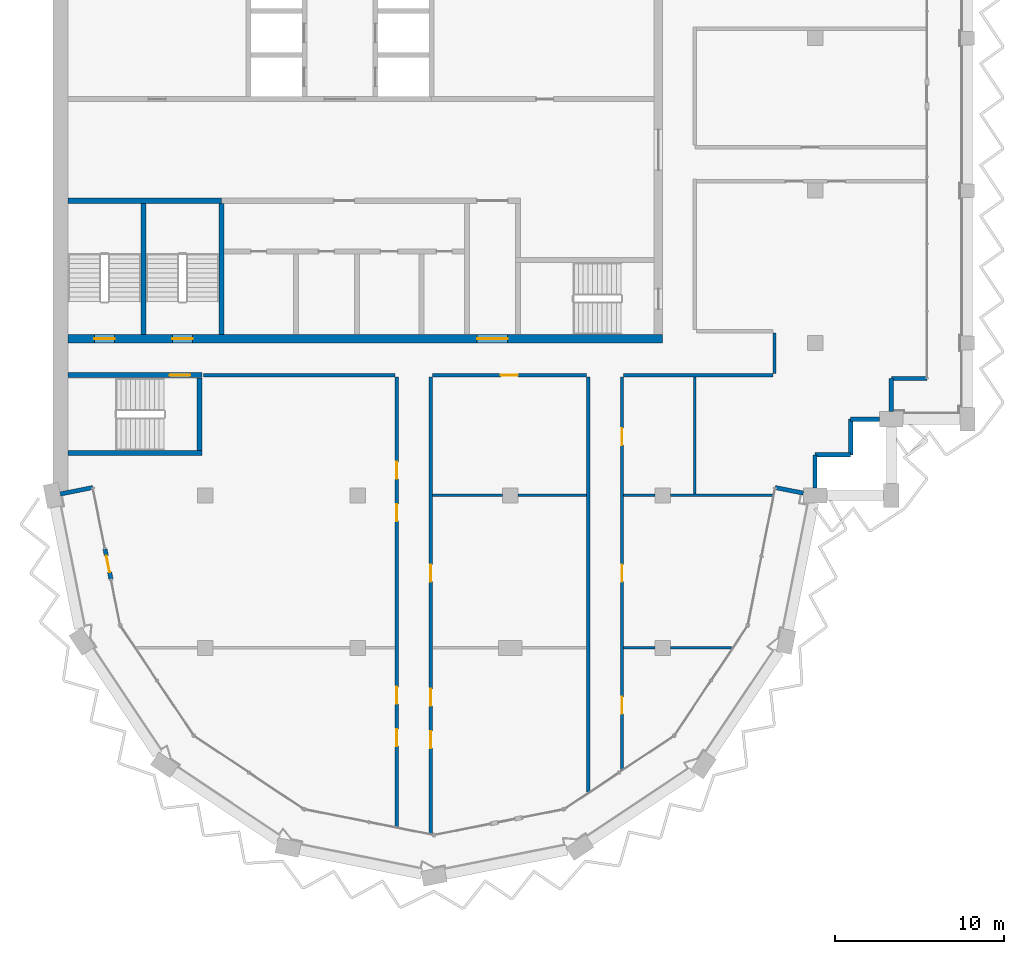
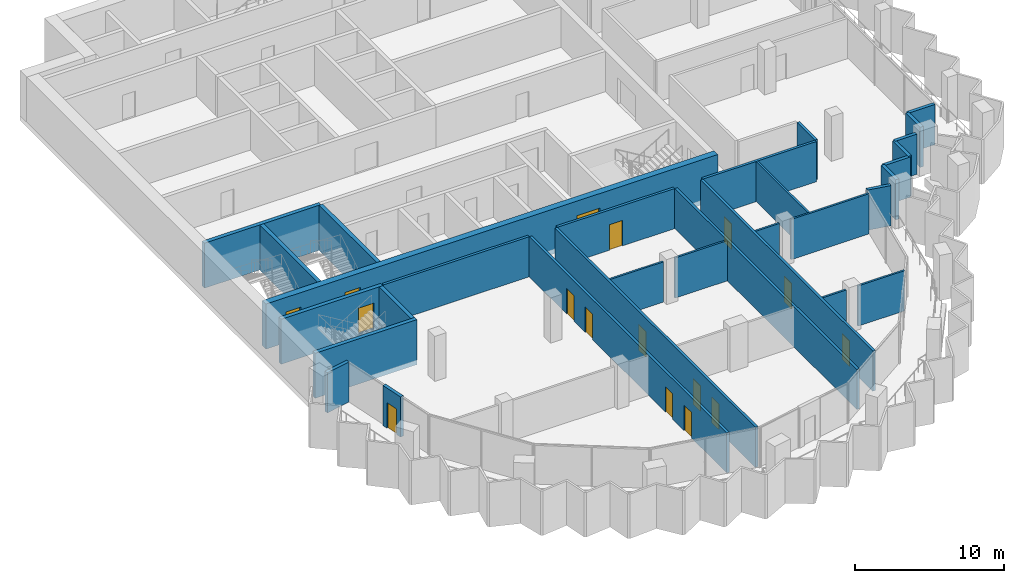
# One storey, part 7 of 14: 31 walls, 16 doors, 16 openings.
"""IFC4 building model written with IfcOpenShell, lengths in metres."""

from ifc_helpers import new_model, si_unit, direction, frame, frame_2d, origin, place, context, subcontext, project, spatial, rectangle, extrude, material, layer, layer_set, type_object, element, fill, save


model = new_model("IFC4")

# Units and contexts
model_context = context("Model", 3, precision=1e-05, world=origin(), true_north=direction((0.0, 1.0)))
body_context = subcontext(model_context, "Body", "Model", "MODEL_VIEW")
ifc_project = project(units=[si_unit("LENGTHUNIT", "METRE"), si_unit("AREAUNIT", "SQUARE_METRE"), si_unit("VOLUMEUNIT", "CUBIC_METRE"), si_unit("PLANEANGLEUNIT", "RADIAN"), si_unit("MASSUNIT", "GRAM", prefix="KILO")], contexts=[model_context])

# Site, building, storey
site_placement = place(None, origin())
site = spatial("IfcSite", under=ifc_project, at=site_placement, CompositionType="ELEMENT")
building_placement = place(site_placement, origin())
building = spatial("IfcBuilding", under=site, at=building_placement, Name="Hunhe Ridgeline Campus", CompositionType="ELEMENT")
storey_placement = place(building_placement, frame((0.0, 0.0, 284.5)))
storey = spatial("IfcBuildingStorey", under=building, at=storey_placement, Name="L73", CompositionType="ELEMENT", Elevation=284.5)

# Wall, openings, doors
ifc_material_1 = material(Name="Concrete C50", Category="concrete")
ifc_layer_1 = layer(ifc_material_1, 0.5)
ifc_layer_set_1 = layer_set([ifc_layer_1], Name="Core wall 500 reinforced concrete C50")
wall_type_1 = type_object("IfcWallType", Name="Core wall 500 reinforced concrete C50", PredefinedType="SOLIDWALL", material=ifc_layer_set_1)
wall_1_placement = place(storey_placement, frame((0.89990234375, 63.25, -0.39990234375), z_axis=(0.0, 0.0, 1.0), x_axis=(1.0, 0.0, 0.0)))
wall_1 = element("IfcWall", 1, at=wall_1_placement, inside=storey, type_object=wall_type_1, Name="L73 core wall 3", PredefinedType="SOLIDWALL", context=body_context, shape_type="SweptSolid", body=[
    extrude(rectangle(XDim=35.10009765625, YDim=0.5, at=frame_2d((17.550048828125, 0.0))), origin(), (0.0, 0.0, 1.0), 3.699951171875),
])
opening_1_placement = place(wall_1_placement, frame((24.14990234375, 0.0, 0.39990234375)))
opening_1 = element("IfcOpeningElement", 2, at=opening_1_placement, cuts=wall_1, Name="Opening CD6", PredefinedType="OPENING", context=body_context, shape_type="SweptSolid", body=[
    extrude(rectangle(XDim=1.800048828125, YDim=2.10009765625, at=frame_2d((0.89990234375, 1.050048828125))), frame((0.0, 0.25, 0.0), z_axis=(0.0, -1.0, 0.0), x_axis=(1.0, 0.0, 0.0)), (0.0, 0.0, 1.0), 0.5),
])
opening_2_placement = place(wall_1_placement, frame((1.550048828125, 0.0, 0.39990234375)))
opening_2 = element("IfcOpeningElement", 3, at=opening_2_placement, cuts=wall_1, Name="Opening CD13", PredefinedType="OPENING", context=body_context, shape_type="SweptSolid", body=[
    extrude(rectangle(XDim=1.199951171875, YDim=2.10009765625, at=frame_2d((0.60009765625, 1.050048828125))), frame((0.0, 0.25, 0.0), z_axis=(0.0, -1.0, 0.0), x_axis=(1.0, 0.0, 0.0)), (0.0, 0.0, 1.0), 0.5),
])
opening_3_placement = place(wall_1_placement, frame((6.14990234375, 0.0, 0.39990234375)))
opening_3 = element("IfcOpeningElement", 4, at=opening_3_placement, cuts=wall_1, Name="Opening CD14", PredefinedType="OPENING", context=body_context, shape_type="SweptSolid", body=[
    extrude(rectangle(XDim=1.199951171875, YDim=2.10009765625, at=frame_2d((0.60009765625, 1.050048828125))), frame((0.0, 0.25, 0.0), z_axis=(0.0, -1.0, 0.0), x_axis=(1.0, 0.0, 0.0)), (0.0, 0.0, 1.0), 0.5),
])
ifc_material_2 = material(Name="Anodised aluminium and glass", Category="aluminium")
door_type_1 = type_object("IfcDoorType", Name="Glazed double door 1800x2100", OperationType="DOUBLE_DOOR_SINGLE_SWING", PredefinedType="DOOR", material=ifc_material_2)
door_1_placement = place(opening_1_placement, frame((1.800048828125, 0.0, 0.0), z_axis=(0.0, 0.0, 1.0), x_axis=(-1.0, 0.0, 0.0)))
door_1 = element("IfcDoor", 5, at=door_1_placement, inside=storey, type_object=door_type_1, Name="L73 door VEST-FLOOR", OperationType="DOUBLE_DOOR_SINGLE_SWING", OverallHeight=2.10009765625, OverallWidth=1.800048828125, PredefinedType="DOOR", context=body_context, shape_type="SweptSolid", body=[
    extrude(rectangle(XDim=1.800048828125, YDim=2.10009765625, at=frame_2d((0.89990234375, 1.050048828125))), frame((0.0, 0.02490234375, 0.0), z_axis=(0.0, -1.0, 0.0), x_axis=(1.0, 0.0, 0.0)), (0.0, 0.0, 1.0), 0.050048828125),
])
fill(opening_1, door_1)
ifc_material_3 = material(Name="Hollow metal fire door leaf")
door_type_2 = type_object("IfcDoorType", Name="Stair door 1200x2100 FD60", OperationType="SINGLE_SWING_LEFT", PredefinedType="DOOR", material=ifc_material_3)
door_2_placement = place(opening_2_placement, frame((1.199951171875, 0.0, 0.0), z_axis=(0.0, 0.0, 1.0), x_axis=(-1.0, 0.0, 0.0)))
door_2 = element("IfcDoor", 6, at=door_2_placement, inside=storey, type_object=door_type_2, Name="L73 door S3", OperationType="SINGLE_SWING_LEFT", OverallHeight=2.10009765625, OverallWidth=1.199951171875, PredefinedType="DOOR", context=body_context, shape_type="SweptSolid", body=[
    extrude(rectangle(XDim=1.199951171875, YDim=2.10009765625, at=frame_2d((0.60009765625, 1.050048828125))), frame((0.0, 0.02490234375, 0.0), z_axis=(0.0, -1.0, 0.0), x_axis=(1.0, 0.0, 0.0)), (0.0, 0.0, 1.0), 0.050048828125),
])
fill(opening_2, door_2)
door_3_placement = place(opening_3_placement, frame((1.199951171875, 0.0, 0.0), z_axis=(0.0, 0.0, 1.0), x_axis=(-1.0, 0.0, 0.0)))
door_3 = element("IfcDoor", 7, at=door_3_placement, inside=storey, type_object=door_type_2, Name="L73 door S4", OperationType="SINGLE_SWING_RIGHT", OverallHeight=2.10009765625, OverallWidth=1.199951171875, PredefinedType="DOOR", context=body_context, shape_type="SweptSolid", body=[
    extrude(rectangle(XDim=1.199951171875, YDim=2.10009765625, at=frame_2d((0.60009765625, 1.050048828125))), frame((0.0, 0.02490234375, 0.0), z_axis=(0.0, -1.0, 0.0), x_axis=(1.0, 0.0, 0.0)), (0.0, 0.0, 1.0), 0.050048828125),
])
fill(opening_3, door_3)

# Walls
ifc_material_4 = material(Name="Concrete C30", Category="concrete")
ifc_layer_2 = layer(ifc_material_4, 0.25)
ifc_layer_set_2 = layer_set([ifc_layer_2], Name="Corner return wall 250 Concrete C30")
wall_type_2 = type_object("IfcWallType", Name="Corner return wall 250 Concrete C30", PredefinedType="SOLIDWALL", material=ifc_layer_set_2)
wall_2_placement = place(storey_placement, frame((0.441162109375, 54.088623046875, 0.0), z_axis=(0.0, 0.0, 1.0), x_axis=(0.980834936053, 0.194840519958, 0.0)))
element("IfcWall", 8, at=wall_2_placement, inside=storey, type_object=wall_type_2, Name="Corner return wall 1", PredefinedType="SOLIDWALL", context=body_context, shape_type="SweptSolid", body=[
    extrude(rectangle(XDim=1.950927734375, YDim=0.25, at=frame_2d((0.9755859375, 0.0))), origin(), (0.0, 0.0, 1.0), 3.300048828125),
])
wall_3_placement = place(storey_placement, frame((42.645263671875, 54.46875, 0.0), z_axis=(0.0, 0.0, 1.0), x_axis=(0.980846923473, -0.194780165092, 0.0)))
element("IfcWall", 9, at=wall_3_placement, inside=storey, type_object=wall_type_2, Name="Corner return wall 2", PredefinedType="SOLIDWALL", context=body_context, shape_type="SweptSolid", body=[
    extrude(rectangle(XDim=1.68701171875, YDim=0.25, at=frame_2d((0.843505859375, 0.0))), origin(), (0.0, 0.0, 1.0), 3.300048828125),
])
wall_4_placement = place(storey_placement, frame((44.9990234375, 54.449951171875, 0.0), z_axis=(0.0, 0.0, 1.0), x_axis=(0.000125156445, 0.999999992168, 0.0)))
element("IfcWall", 10, at=wall_4_placement, inside=storey, type_object=wall_type_2, Name="Corner return wall 3", PredefinedType="SOLIDWALL", context=body_context, shape_type="SweptSolid", body=[
    extrude(rectangle(XDim=1.95068359375, YDim=0.25, at=frame_2d((0.975341796875, 0.0))), origin(), (0.0, 0.0, 1.0), 3.300048828125),
])
wall_5_placement = place(storey_placement, frame((44.999267578125, 56.400634765625, 0.0), z_axis=(0.0, 0.0, 1.0), x_axis=(0.999999993241, 0.00011626555, 0.0)))
element("IfcWall", 11, at=wall_5_placement, inside=storey, type_object=wall_type_2, Name="Corner return wall 4", PredefinedType="SOLIDWALL", context=body_context, shape_type="SweptSolid", body=[
    extrude(rectangle(XDim=2.099853515625, YDim=0.25, at=frame_2d((1.0498046875, 0.0))), origin(), (0.0, 0.0, 1.0), 3.300048828125),
])
wall_6_placement = place(storey_placement, frame((47.09912109375, 56.40087890625, 0.0), z_axis=(0.0, 0.0, 1.0), x_axis=(0.000232504063, 0.999999972971, 0.0)))
element("IfcWall", 12, at=wall_6_placement, inside=storey, type_object=wall_type_2, Name="Corner return wall 5", PredefinedType="SOLIDWALL", context=body_context, shape_type="SweptSolid", body=[
    extrude(rectangle(XDim=2.10009765625, YDim=0.25, at=frame_2d((1.050048828125, 0.0))), origin(), (0.0, 0.0, 1.0), 3.300048828125),
])
wall_7_placement = place(storey_placement, frame((47.099609375, 58.5009765625, 0.0), z_axis=(0.0, 0.0, 1.0), x_axis=(1.0, 0.0, 0.0)))
element("IfcWall", 13, at=wall_7_placement, inside=storey, type_object=wall_type_2, Name="Corner return wall 6", PredefinedType="SOLIDWALL", context=body_context, shape_type="SweptSolid", body=[
    extrude(rectangle(XDim=1.700439453125, YDim=0.25, at=frame_2d((0.85009765625, 0.0))), origin(), (0.0, 0.0, 1.0), 3.300048828125),
])
wall_8_placement = place(storey_placement, frame((49.4990234375, 58.949951171875, 0.0), z_axis=(0.0, 0.0, 1.0), x_axis=(0.000250281559, 0.99999996868, 0.0)))
element("IfcWall", 14, at=wall_8_placement, inside=storey, type_object=wall_type_2, Name="Corner return wall 7", PredefinedType="SOLIDWALL", context=body_context, shape_type="SweptSolid", body=[
    extrude(rectangle(XDim=1.950927734375, YDim=0.25, at=frame_2d((0.9755859375, 0.0))), origin(), (0.0, 0.0, 1.0), 3.300048828125),
])
wall_9_placement = place(storey_placement, frame((49.49951171875, 60.90087890625, 0.0), z_axis=(0.0, 0.0, 1.0), x_axis=(1.0, 0.0, 0.0)))
element("IfcWall", 15, at=wall_9_placement, inside=storey, type_object=wall_type_2, Name="Corner return wall 8", PredefinedType="SOLIDWALL", context=body_context, shape_type="SweptSolid", body=[
    extrude(rectangle(XDim=2.099609375, YDim=0.25, at=frame_2d((1.0498046875, 0.0))), origin(), (0.0, 0.0, 1.0), 3.300048828125),
])
ifc_material_5 = material(Name="Gypsum board partition")
ifc_layer_3 = layer(ifc_material_5, 0.199951171875)
ifc_layer_set_3 = layer_set([ifc_layer_3], Name="Corridor partition 200 gypsum board on steel studs")
wall_type_3 = type_object("IfcWallType", Name="Corridor partition 200 gypsum board on steel studs", PredefinedType="PARTITIONING", material=ifc_layer_set_3)
wall_10_placement = place(storey_placement, frame((20.199951171875, 61.10009765625, 0.0), z_axis=(0.0, 0.0, 1.0), x_axis=(-1.0, 0.0, 0.0)))
element("IfcWall", 16, at=wall_10_placement, inside=storey, type_object=wall_type_3, Name="F-L73-wall-012", PredefinedType="PARTITIONING", context=body_context, shape_type="SweptSolid", body=[
    extrude(rectangle(XDim=11.2958984375, YDim=0.199951171875, at=frame_2d((5.64794921875, 0.0))), origin(), (0.0, 0.0, 1.0), 3.300048828125),
])

# Wall, opening, door
wall_11_placement = place(storey_placement, frame((31.5, 61.10009765625, 0.0), z_axis=(0.0, 0.0, 1.0), x_axis=(-1.0, 0.0, 0.0)))
wall_11 = element("IfcWall", 17, at=wall_11_placement, inside=storey, type_object=wall_type_3, Name="F-L73-wall-013", PredefinedType="PARTITIONING", context=body_context, shape_type="SweptSolid", body=[
    extrude(rectangle(XDim=9.10009765625, YDim=0.199951171875, at=frame_2d((4.550048828125, 0.0))), origin(), (0.0, 0.0, 1.0), 3.300048828125),
])
opening_4_placement = place(wall_11_placement, frame((4.050048828125, 0.0, 0.0)))
opening_4 = element("IfcOpeningElement", 18, at=opening_4_placement, cuts=wall_11, Name="Opening RD1-011", PredefinedType="OPENING", context=body_context, shape_type="SweptSolid", body=[
    extrude(rectangle(XDim=1.0, YDim=2.10009765625, at=frame_2d((0.5, 1.050048828125))), frame((0.0, 0.10009765625, 0.0), z_axis=(0.0, -1.0, 0.0), x_axis=(1.0, 0.0, 0.0)), (0.0, 0.0, 1.0), 0.199951171875),
])
ifc_material_6 = material(Name="Timber door leaf", Category="wood")
door_type_3 = type_object("IfcDoorType", Name="Single fire door 1000x2100 timber FD60", OperationType="NOTDEFINED", PredefinedType="DOOR", material=ifc_material_6)
door_4_placement = place(opening_4_placement, origin())
door_4 = element("IfcDoor", 19, at=door_4_placement, inside=storey, type_object=door_type_3, Name="F-L73-door-011", OperationType="SINGLE_SWING_LEFT", OverallHeight=2.10009765625, OverallWidth=1.0, PredefinedType="DOOR", context=body_context, shape_type="SweptSolid", body=[
    extrude(rectangle(XDim=1.0, YDim=2.10009765625, at=frame_2d((0.5, 1.050048828125))), frame((0.0, 0.02490234375, 0.0), z_axis=(0.0, -1.0, 0.0), x_axis=(1.0, 0.0, 0.0)), (0.0, 0.0, 1.0), 0.050048828125),
])
fill(opening_4, door_4)

# Wall
wall_12_placement = place(storey_placement, frame((42.5, 61.10009765625, 0.0), z_axis=(0.0, 0.0, 1.0), x_axis=(-1.0, 0.0, 0.0)))
element("IfcWall", 20, at=wall_12_placement, inside=storey, type_object=wall_type_3, Name="F-L73-wall-014", PredefinedType="PARTITIONING", context=body_context, shape_type="SweptSolid", body=[
    extrude(rectangle(XDim=8.800048828125, YDim=0.199951171875, at=frame_2d((4.39990234375, 0.0))), origin(), (0.0, 0.0, 1.0), 3.300048828125),
])

# Wall, openings, doors
wall_13_placement = place(storey_placement, frame((20.300048828125, 34.440673828125, 0.0), z_axis=(0.0, 0.0, 1.0), x_axis=(0.0, 1.0, 0.0)))
wall_13 = element("IfcWall", 21, at=wall_13_placement, inside=storey, type_object=wall_type_3, Name="F-L73-wall-021", PredefinedType="PARTITIONING", context=body_context, shape_type="SweptSolid", body=[
    extrude(rectangle(XDim=26.559326171875, YDim=0.199951171875, at=frame_2d((13.27978515625, 0.0))), origin(), (0.0, 0.0, 1.0), 3.300048828125),
])
opening_5_placement = place(wall_13_placement, frame((4.76171875, 0.0, 0.0)))
opening_5 = element("IfcOpeningElement", 22, at=opening_5_placement, cuts=wall_13, Name="Opening RD1-002", PredefinedType="OPENING", context=body_context, shape_type="SweptSolid", body=[
    extrude(rectangle(XDim=1.0, YDim=2.10009765625, at=frame_2d((0.5, 1.050048828125))), frame((0.0, 0.10009765625, 0.0), z_axis=(0.0, -1.0, 0.0), x_axis=(1.0, 0.0, 0.0)), (0.0, 0.0, 1.0), 0.199951171875),
])
opening_6_placement = place(wall_13_placement, frame((7.26171875, 0.0, 0.0)))
opening_6 = element("IfcOpeningElement", 23, at=opening_6_placement, cuts=wall_13, Name="Opening RD1-005", PredefinedType="OPENING", context=body_context, shape_type="SweptSolid", body=[
    extrude(rectangle(XDim=1.0, YDim=2.10009765625, at=frame_2d((0.5, 1.050048828125))), frame((0.0, 0.10009765625, 0.0), z_axis=(0.0, -1.0, 0.0), x_axis=(1.0, 0.0, 0.0)), (0.0, 0.0, 1.0), 0.199951171875),
])
opening_7_placement = place(wall_13_placement, frame((18.04150390625, 0.0, 0.0)))
opening_7 = element("IfcOpeningElement", 24, at=opening_7_placement, cuts=wall_13, Name="Opening RD1-008", PredefinedType="OPENING", context=body_context, shape_type="SweptSolid", body=[
    extrude(rectangle(XDim=1.0, YDim=2.10009765625, at=frame_2d((0.5, 1.050048828125))), frame((0.0, 0.10009765625, 0.0), z_axis=(0.0, -1.0, 0.0), x_axis=(1.0, 0.0, 0.0)), (0.0, 0.0, 1.0), 0.199951171875),
])
opening_8_placement = place(wall_13_placement, frame((20.54150390625, 0.0, 0.0)))
opening_8 = element("IfcOpeningElement", 25, at=opening_8_placement, cuts=wall_13, Name="Opening RD1-009", PredefinedType="OPENING", context=body_context, shape_type="SweptSolid", body=[
    extrude(rectangle(XDim=1.0, YDim=2.10009765625, at=frame_2d((0.5, 1.050048828125))), frame((0.0, 0.10009765625, 0.0), z_axis=(0.0, -1.0, 0.0), x_axis=(1.0, 0.0, 0.0)), (0.0, 0.0, 1.0), 0.199951171875),
])
door_5_placement = place(opening_5_placement, frame((1.0, 0.0, 0.0), z_axis=(0.0, 0.0, 1.0), x_axis=(-1.0, 0.0, 0.0)))
door_5 = element("IfcDoor", 26, at=door_5_placement, inside=storey, type_object=door_type_3, Name="F-L73-door-002", OperationType="SINGLE_SWING_RIGHT", OverallHeight=2.10009765625, OverallWidth=1.0, PredefinedType="DOOR", context=body_context, shape_type="SweptSolid", body=[
    extrude(rectangle(XDim=1.0, YDim=2.10009765625, at=frame_2d((0.5, 1.050048828125))), frame((0.0, 0.02490234375, 0.0), z_axis=(0.0, -1.0, 0.0), x_axis=(1.0, 0.0, 0.0)), (0.0, 0.0, 1.0), 0.050048828125),
])
fill(opening_5, door_5)
door_6_placement = place(opening_6_placement, frame((1.0, 0.0, 0.0), z_axis=(0.0, 0.0, 1.0), x_axis=(-1.0, 0.0, 0.0)))
door_6 = element("IfcDoor", 27, at=door_6_placement, inside=storey, type_object=door_type_3, Name="F-L73-door-005", OperationType="SINGLE_SWING_LEFT", OverallHeight=2.10009765625, OverallWidth=1.0, PredefinedType="DOOR", context=body_context, shape_type="SweptSolid", body=[
    extrude(rectangle(XDim=1.0, YDim=2.10009765625, at=frame_2d((0.5, 1.050048828125))), frame((0.0, 0.02490234375, 0.0), z_axis=(0.0, -1.0, 0.0), x_axis=(1.0, 0.0, 0.0)), (0.0, 0.0, 1.0), 0.050048828125),
])
fill(opening_6, door_6)
door_7_placement = place(opening_7_placement, frame((1.0, 0.0, 0.0), z_axis=(0.0, 0.0, 1.0), x_axis=(-1.0, 0.0, 0.0)))
door_7 = element("IfcDoor", 28, at=door_7_placement, inside=storey, type_object=door_type_3, Name="F-L73-door-008", OperationType="SINGLE_SWING_LEFT", OverallHeight=2.10009765625, OverallWidth=1.0, PredefinedType="DOOR", context=body_context, shape_type="SweptSolid", body=[
    extrude(rectangle(XDim=1.0, YDim=2.10009765625, at=frame_2d((0.5, 1.050048828125))), frame((0.0, 0.02490234375, 0.0), z_axis=(0.0, -1.0, 0.0), x_axis=(1.0, 0.0, 0.0)), (0.0, 0.0, 1.0), 0.050048828125),
])
fill(opening_7, door_7)
door_8_placement = place(opening_8_placement, frame((1.0, 0.0, 0.0), z_axis=(0.0, 0.0, 1.0), x_axis=(-1.0, 0.0, 0.0)))
door_8 = element("IfcDoor", 29, at=door_8_placement, inside=storey, type_object=door_type_3, Name="F-L73-door-009", OperationType="SINGLE_SWING_LEFT", OverallHeight=2.10009765625, OverallWidth=1.0, PredefinedType="DOOR", context=body_context, shape_type="SweptSolid", body=[
    extrude(rectangle(XDim=1.0, YDim=2.10009765625, at=frame_2d((0.5, 1.050048828125))), frame((0.0, 0.02490234375, 0.0), z_axis=(0.0, -1.0, 0.0), x_axis=(1.0, 0.0, 0.0)), (0.0, 0.0, 1.0), 0.050048828125),
])
fill(opening_8, door_8)

wall_14_placement = place(storey_placement, frame((22.300048828125, 61.0, 0.0), z_axis=(0.0, 0.0, 1.0), x_axis=(0.0, -1.0, 0.0)))
wall_14 = element("IfcWall", 30, at=wall_14_placement, inside=storey, type_object=wall_type_3, Name="F-L73-wall-022", PredefinedType="PARTITIONING", context=body_context, shape_type="SweptSolid", body=[
    extrude(rectangle(XDim=26.95703125, YDim=0.199951171875, at=frame_2d((13.478515625, 0.0))), origin(), (0.0, 0.0, 1.0), 3.300048828125),
])
opening_9_placement = place(wall_14_placement, frame((20.91455078125, 0.0, 0.0)))
opening_9 = element("IfcOpeningElement", 31, at=opening_9_placement, cuts=wall_14, Name="Opening RD1-001", PredefinedType="OPENING", context=body_context, shape_type="SweptSolid", body=[
    extrude(rectangle(XDim=1.0, YDim=2.10009765625, at=frame_2d((0.5, 1.050048828125))), frame((0.0, 0.10009765625, 0.0), z_axis=(0.0, -1.0, 0.0), x_axis=(1.0, 0.0, 0.0)), (0.0, 0.0, 1.0), 0.199951171875),
])
opening_10_placement = place(wall_14_placement, frame((18.41455078125, 0.0, 0.0)))
opening_10 = element("IfcOpeningElement", 32, at=opening_10_placement, cuts=wall_14, Name="Opening RD1-004", PredefinedType="OPENING", context=body_context, shape_type="SweptSolid", body=[
    extrude(rectangle(XDim=1.0, YDim=2.10009765625, at=frame_2d((0.5, 1.050048828125))), frame((0.0, 0.10009765625, 0.0), z_axis=(0.0, -1.0, 0.0), x_axis=(1.0, 0.0, 0.0)), (0.0, 0.0, 1.0), 0.199951171875),
])
opening_11_placement = place(wall_14_placement, frame((11.089111328125, 0.0, 0.0)))
opening_11 = element("IfcOpeningElement", 33, at=opening_11_placement, cuts=wall_14, Name="Opening RD1-006", PredefinedType="OPENING", context=body_context, shape_type="SweptSolid", body=[
    extrude(rectangle(XDim=1.0, YDim=2.10009765625, at=frame_2d((0.5, 1.050048828125))), frame((0.0, 0.10009765625, 0.0), z_axis=(0.0, -1.0, 0.0), x_axis=(1.0, 0.0, 0.0)), (0.0, 0.0, 1.0), 0.199951171875),
])
door_9_placement = place(opening_9_placement, frame((1.0, 0.0, 0.0), z_axis=(0.0, 0.0, 1.0), x_axis=(-1.0, 0.0, 0.0)))
door_9 = element("IfcDoor", 34, at=door_9_placement, inside=storey, type_object=door_type_3, Name="F-L73-door-001", OperationType="SINGLE_SWING_RIGHT", OverallHeight=2.10009765625, OverallWidth=1.0, PredefinedType="DOOR", context=body_context, shape_type="SweptSolid", body=[
    extrude(rectangle(XDim=1.0, YDim=2.10009765625, at=frame_2d((0.5, 1.050048828125))), frame((0.0, 0.02490234375, 0.0), z_axis=(0.0, -1.0, 0.0), x_axis=(1.0, 0.0, 0.0)), (0.0, 0.0, 1.0), 0.050048828125),
])
fill(opening_9, door_9)
door_10_placement = place(opening_10_placement, frame((1.0, 0.0, 0.0), z_axis=(0.0, 0.0, 1.0), x_axis=(-1.0, 0.0, 0.0)))
door_10 = element("IfcDoor", 35, at=door_10_placement, inside=storey, type_object=door_type_3, Name="F-L73-door-004", OperationType="SINGLE_SWING_RIGHT", OverallHeight=2.10009765625, OverallWidth=1.0, PredefinedType="DOOR", context=body_context, shape_type="SweptSolid", body=[
    extrude(rectangle(XDim=1.0, YDim=2.10009765625, at=frame_2d((0.5, 1.050048828125))), frame((0.0, 0.02490234375, 0.0), z_axis=(0.0, -1.0, 0.0), x_axis=(1.0, 0.0, 0.0)), (0.0, 0.0, 1.0), 0.050048828125),
])
fill(opening_10, door_10)
door_11_placement = place(opening_11_placement, origin())
door_11 = element("IfcDoor", 36, at=door_11_placement, inside=storey, type_object=door_type_3, Name="F-L73-door-006", OperationType="SINGLE_SWING_RIGHT", OverallHeight=2.10009765625, OverallWidth=1.0, PredefinedType="DOOR", context=body_context, shape_type="SweptSolid", body=[
    extrude(rectangle(XDim=1.0, YDim=2.10009765625, at=frame_2d((0.5, 1.050048828125))), frame((0.0, 0.02490234375, 0.0), z_axis=(0.0, -1.0, 0.0), x_axis=(1.0, 0.0, 0.0)), (0.0, 0.0, 1.0), 0.050048828125),
])
fill(opening_11, door_11)

# Wall
wall_15_placement = place(storey_placement, frame((31.60009765625, 36.492431640625, 0.0), z_axis=(0.0, 0.0, 1.0), x_axis=(0.0, 1.0, 0.0)))
element("IfcWall", 37, at=wall_15_placement, inside=storey, type_object=wall_type_3, Name="F-L73-wall-023", PredefinedType="PARTITIONING", context=body_context, shape_type="SweptSolid", body=[
    extrude(rectangle(XDim=24.507568359375, YDim=0.199951171875, at=frame_2d((12.25390625, 0.0))), origin(), (0.0, 0.0, 1.0), 3.300048828125),
])

# Wall, openings, doors
wall_16_placement = place(storey_placement, frame((33.60009765625, 61.0, 0.0), z_axis=(0.0, 0.0, 1.0), x_axis=(0.0, -1.0, 0.0)))
wall_16 = element("IfcWall", 38, at=wall_16_placement, inside=storey, type_object=wall_type_3, Name="F-L73-wall-024", PredefinedType="PARTITIONING", context=body_context, shape_type="SweptSolid", body=[
    extrude(rectangle(XDim=23.171142578125, YDim=0.199951171875, at=frame_2d((11.58544921875, 0.0))), origin(), (0.0, 0.0, 1.0), 3.300048828125),
])
opening_12_placement = place(wall_16_placement, frame((18.893310546875, 0.0, 0.0)))
opening_12 = element("IfcOpeningElement", 39, at=opening_12_placement, cuts=wall_16, Name="Opening RD1-003", PredefinedType="OPENING", context=body_context, shape_type="SweptSolid", body=[
    extrude(rectangle(XDim=1.0, YDim=2.10009765625, at=frame_2d((0.5, 1.050048828125))), frame((0.0, 0.10009765625, 0.0), z_axis=(0.0, -1.0, 0.0), x_axis=(1.0, 0.0, 0.0)), (0.0, 0.0, 1.0), 0.199951171875),
])
opening_13_placement = place(wall_16_placement, frame((11.085693359375, 0.0, 0.0)))
opening_13 = element("IfcOpeningElement", 40, at=opening_13_placement, cuts=wall_16, Name="Opening RD1-007", PredefinedType="OPENING", context=body_context, shape_type="SweptSolid", body=[
    extrude(rectangle(XDim=1.0, YDim=2.10009765625, at=frame_2d((0.5, 1.050048828125))), frame((0.0, 0.10009765625, 0.0), z_axis=(0.0, -1.0, 0.0), x_axis=(1.0, 0.0, 0.0)), (0.0, 0.0, 1.0), 0.199951171875),
])
opening_14_placement = place(wall_16_placement, frame((3.02587890625, 0.0, 0.0)))
opening_14 = element("IfcOpeningElement", 41, at=opening_14_placement, cuts=wall_16, Name="Opening RD1-010", PredefinedType="OPENING", context=body_context, shape_type="SweptSolid", body=[
    extrude(rectangle(XDim=1.0, YDim=2.10009765625, at=frame_2d((0.5, 1.050048828125))), frame((0.0, 0.10009765625, 0.0), z_axis=(0.0, -1.0, 0.0), x_axis=(1.0, 0.0, 0.0)), (0.0, 0.0, 1.0), 0.199951171875),
])
door_12_placement = place(opening_12_placement, origin())
door_12 = element("IfcDoor", 42, at=door_12_placement, inside=storey, type_object=door_type_3, Name="F-L73-door-003", OperationType="SINGLE_SWING_LEFT", OverallHeight=2.10009765625, OverallWidth=1.0, PredefinedType="DOOR", context=body_context, shape_type="SweptSolid", body=[
    extrude(rectangle(XDim=1.0, YDim=2.10009765625, at=frame_2d((0.5, 1.050048828125))), frame((0.0, 0.02490234375, 0.0), z_axis=(0.0, -1.0, 0.0), x_axis=(1.0, 0.0, 0.0)), (0.0, 0.0, 1.0), 0.050048828125),
])
fill(opening_12, door_12)
door_13_placement = place(opening_13_placement, origin())
door_13 = element("IfcDoor", 43, at=door_13_placement, inside=storey, type_object=door_type_3, Name="F-L73-door-007", OperationType="SINGLE_SWING_LEFT", OverallHeight=2.10009765625, OverallWidth=1.0, PredefinedType="DOOR", context=body_context, shape_type="SweptSolid", body=[
    extrude(rectangle(XDim=1.0, YDim=2.10009765625, at=frame_2d((0.5, 1.050048828125))), frame((0.0, 0.02490234375, 0.0), z_axis=(0.0, -1.0, 0.0), x_axis=(1.0, 0.0, 0.0)), (0.0, 0.0, 1.0), 0.050048828125),
])
fill(opening_13, door_13)
door_14_placement = place(opening_14_placement, origin())
door_14 = element("IfcDoor", 44, at=door_14_placement, inside=storey, type_object=door_type_3, Name="F-L73-door-010", OperationType="SINGLE_SWING_LEFT", OverallHeight=2.10009765625, OverallWidth=1.0, PredefinedType="DOOR", context=body_context, shape_type="SweptSolid", body=[
    extrude(rectangle(XDim=1.0, YDim=2.10009765625, at=frame_2d((0.5, 1.050048828125))), frame((0.0, 0.02490234375, 0.0), z_axis=(0.0, -1.0, 0.0), x_axis=(1.0, 0.0, 0.0)), (0.0, 0.0, 1.0), 0.050048828125),
])
fill(opening_14, door_14)

# Wall
wall_17_placement = place(storey_placement, frame((42.60009765625, 63.60009765625, 0.0), z_axis=(0.0, 0.0, 1.0), x_axis=(0.0, -1.0, 0.0)))
element("IfcWall", 45, at=wall_17_placement, inside=storey, type_object=wall_type_3, Name="F-L73-wall-030", PredefinedType="PARTITIONING", context=body_context, shape_type="SweptSolid", body=[
    extrude(rectangle(XDim=2.400146484375, YDim=0.199951171875, at=frame_2d((1.2001953125, 0.0))), origin(), (0.0, 0.0, 1.0), 3.300048828125),
])

# Wall, opening, door
ifc_layer_4 = layer(ifc_material_4, 0.25)
ifc_layer_set_4 = layer_set([ifc_layer_4], Name="Loggia door pier wall 250 Concrete C30")
wall_type_4 = type_object("IfcWallType", Name="Loggia door pier wall 250 Concrete C30", PredefinedType="SOLIDWALL", material=ifc_layer_set_4)
wall_18_placement = place(storey_placement, frame((3.076904296875, 50.8388671875, 0.0), z_axis=(0.0, 0.0, 1.0), x_axis=(0.195046569833, -0.980793982239, 0.0)))
wall_18 = element("IfcWall", 46, at=wall_18_placement, inside=storey, type_object=wall_type_4, Name="Loggia door pier 1", PredefinedType="SOLIDWALL", context=body_context, shape_type="SweptSolid", body=[
    extrude(rectangle(XDim=1.800048828125, YDim=0.25, at=frame_2d((0.89990234375, 0.0))), origin(), (0.0, 0.0, 1.0), 3.300048828125),
])
opening_15_placement = place(wall_18_placement, frame((0.39990234375, 0.0, 0.0)))
opening_15 = element("IfcOpeningElement", 47, at=opening_15_placement, cuts=wall_18, Name="Opening BD601", PredefinedType="OPENING", context=body_context, shape_type="SweptSolid", body=[
    extrude(rectangle(XDim=1.0, YDim=2.10009765625, at=frame_2d((0.5, 1.050048828125))), frame((0.0, 0.125, 0.0), z_axis=(0.0, -1.0, 0.0), x_axis=(1.0, 0.0, 0.0)), (0.0, 0.0, 1.0), 0.25),
])
ifc_material_7 = material(Name="Aluminium 6063", Category="aluminium")
door_type_4 = type_object("IfcDoorType", Name="Loggia glazed door 1000x2100", OperationType="NOTDEFINED", PredefinedType="DOOR", material=ifc_material_7)
door_15_placement = place(opening_15_placement, frame((1.0, 0.0, 0.0), z_axis=(0.0, 0.0, 1.0), x_axis=(-1.0, 0.0, 0.0)))
door_15 = element("IfcDoor", 48, at=door_15_placement, inside=storey, type_object=door_type_4, Name="Loggia door BD601", OperationType="SINGLE_SWING_RIGHT", OverallHeight=2.10009765625, OverallWidth=1.0, PredefinedType="DOOR", context=body_context, shape_type="SweptSolid", body=[
    extrude(rectangle(XDim=1.0, YDim=2.10009765625, at=frame_2d((0.5, 1.050048828125))), frame((0.0, 0.02490234375, 0.0), z_axis=(0.0, -1.0, 0.0), x_axis=(1.0, 0.0, 0.0)), (0.0, 0.0, 1.0), 0.050048828125),
])
fill(opening_15, door_15)

# Walls
ifc_layer_5 = layer(ifc_material_5, 0.14990234375)
ifc_layer_set_5 = layer_set([ifc_layer_5], Name="Room partition 150 gypsum board on steel studs")
wall_type_5 = type_object("IfcWallType", Name="Room partition 150 gypsum board on steel studs", PredefinedType="PARTITIONING", material=ifc_layer_set_5)
wall_19_placement = place(storey_placement, frame((33.699951171875, 45.0, 0.0), z_axis=(0.0, 0.0, 1.0), x_axis=(1.0, 0.0, 0.0)))
element("IfcWall", 49, at=wall_19_placement, inside=storey, type_object=wall_type_5, Name="F-L73-wall-006", PredefinedType="PARTITIONING", context=body_context, shape_type="SweptSolid", body=[
    extrude(rectangle(XDim=1.85009765625, YDim=0.14990234375, at=frame_2d((0.925048828125, 0.0))), origin(), (0.0, 0.0, 1.0), 3.300048828125),
])
wall_20_placement = place(storey_placement, frame((36.449951171875, 45.0, 0.0), z_axis=(0.0, 0.0, 1.0), x_axis=(1.0, 0.0, 0.0)))
element("IfcWall", 50, at=wall_20_placement, inside=storey, type_object=wall_type_5, Name="F-L73-wall-007", PredefinedType="PARTITIONING", context=body_context, shape_type="SweptSolid", body=[
    extrude(rectangle(XDim=3.62451171875, YDim=0.14990234375, at=frame_2d((1.812255859375, 0.0))), origin(), (0.0, 0.0, 1.0), 3.300048828125),
])
wall_21_placement = place(storey_placement, frame((22.39990234375, 54.0, 0.0), z_axis=(0.0, 0.0, 1.0), x_axis=(1.0, 0.0, 0.0)))
element("IfcWall", 51, at=wall_21_placement, inside=storey, type_object=wall_type_5, Name="F-L73-wall-008", PredefinedType="PARTITIONING", context=body_context, shape_type="SweptSolid", body=[
    extrude(rectangle(XDim=4.150146484375, YDim=0.14990234375, at=frame_2d((2.0751953125, 0.0))), origin(), (0.0, 0.0, 1.0), 3.300048828125),
])
wall_22_placement = place(storey_placement, frame((27.449951171875, 54.0, 0.0), z_axis=(0.0, 0.0, 1.0), x_axis=(1.0, 0.0, 0.0)))
element("IfcWall", 52, at=wall_22_placement, inside=storey, type_object=wall_type_5, Name="F-L73-wall-009", PredefinedType="PARTITIONING", context=body_context, shape_type="SweptSolid", body=[
    extrude(rectangle(XDim=4.050048828125, YDim=0.14990234375, at=frame_2d((2.02490234375, 0.0))), origin(), (0.0, 0.0, 1.0), 3.300048828125),
])
wall_23_placement = place(storey_placement, frame((33.699951171875, 54.0, 0.0), z_axis=(0.0, 0.0, 1.0), x_axis=(1.0, 0.0, 0.0)))
element("IfcWall", 53, at=wall_23_placement, inside=storey, type_object=wall_type_5, Name="F-L73-wall-010", PredefinedType="PARTITIONING", context=body_context, shape_type="SweptSolid", body=[
    extrude(rectangle(XDim=1.85009765625, YDim=0.14990234375, at=frame_2d((0.925048828125, 0.0))), origin(), (0.0, 0.0, 1.0), 3.300048828125),
])
wall_24_placement = place(storey_placement, frame((36.449951171875, 54.0, 0.0), z_axis=(0.0, 0.0, 1.0), x_axis=(1.0, 0.0, 0.0)))
element("IfcWall", 54, at=wall_24_placement, inside=storey, type_object=wall_type_5, Name="F-L73-wall-011", PredefinedType="PARTITIONING", context=body_context, shape_type="SweptSolid", body=[
    extrude(rectangle(XDim=6.047119140625, YDim=0.14990234375, at=frame_2d((3.0234375, 0.0))), origin(), (0.0, 0.0, 1.0), 3.300048828125),
])
wall_25_placement = place(storey_placement, frame((37.89990234375, 61.0, 0.0), z_axis=(0.0, 0.0, 1.0), x_axis=(0.0, -1.0, 0.0)))
element("IfcWall", 55, at=wall_25_placement, inside=storey, type_object=wall_type_5, Name="F-L73-wall-025", PredefinedType="PARTITIONING", context=body_context, shape_type="SweptSolid", body=[
    extrude(rectangle(XDim=6.925048828125, YDim=0.14990234375, at=frame_2d((3.46240234375, 0.0))), origin(), (0.0, 0.0, 1.0), 3.300048828125),
])
ifc_layer_6 = layer(ifc_material_1, 0.300048828125)
ifc_layer_set_6 = layer_set([ifc_layer_6], Name="Stair wall 300 reinforced concrete C50")
wall_type_6 = type_object("IfcWallType", Name="Stair wall 300 reinforced concrete C50", PredefinedType="SOLIDWALL", material=ifc_layer_set_6)
wall_26_placement = place(storey_placement, frame((0.89990234375, 56.5, -0.39990234375), z_axis=(0.0, 0.0, 1.0), x_axis=(1.0, 0.0, 0.0)))
element("IfcWall", 56, at=wall_26_placement, inside=storey, type_object=wall_type_6, Name="L73 core wall 1", PredefinedType="SOLIDWALL", context=body_context, shape_type="SweptSolid", body=[
    extrude(rectangle(XDim=7.900146484375, YDim=0.300048828125, at=frame_2d((3.9501953125, 0.0))), origin(), (0.0, 0.0, 1.0), 3.699951171875),
])

# Wall, opening, door
wall_27_placement = place(storey_placement, frame((0.89990234375, 61.10009765625, -0.39990234375), z_axis=(0.0, 0.0, 1.0), x_axis=(1.0, 0.0, 0.0)))
wall_27 = element("IfcWall", 57, at=wall_27_placement, inside=storey, type_object=wall_type_6, Name="L73 core wall 2", PredefinedType="SOLIDWALL", context=body_context, shape_type="SweptSolid", body=[
    extrude(rectangle(XDim=7.900146484375, YDim=0.300048828125, at=frame_2d((3.9501953125, 0.0))), origin(), (0.0, 0.0, 1.0), 3.699951171875),
])
opening_16_placement = place(wall_27_placement, frame((6.0, 0.0, 0.39990234375)))
opening_16 = element("IfcOpeningElement", 58, at=opening_16_placement, cuts=wall_27, Name="Opening CD22", PredefinedType="OPENING", context=body_context, shape_type="SweptSolid", body=[
    extrude(rectangle(XDim=1.199951171875, YDim=2.10009765625, at=frame_2d((0.60009765625, 1.050048828125))), frame((0.0, 0.14990234375, 0.0), z_axis=(0.0, -1.0, 0.0), x_axis=(1.0, 0.0, 0.0)), (0.0, 0.0, 1.0), 0.300048828125),
])
door_16_placement = place(opening_16_placement, origin())
door_16 = element("IfcDoor", 59, at=door_16_placement, inside=storey, type_object=door_type_2, Name="L73 door W2", OperationType="SINGLE_SWING_LEFT", OverallHeight=2.10009765625, OverallWidth=1.199951171875, PredefinedType="DOOR", context=body_context, shape_type="SweptSolid", body=[
    extrude(rectangle(XDim=1.199951171875, YDim=2.10009765625, at=frame_2d((0.60009765625, 1.050048828125))), frame((0.0, 0.02490234375, 0.0), z_axis=(0.0, -1.0, 0.0), x_axis=(1.0, 0.0, 0.0)), (0.0, 0.0, 1.0), 0.050048828125),
])
fill(opening_16, door_16)

# Walls
wall_28_placement = place(storey_placement, frame((0.89990234375, 71.39990234375, -0.39990234375), z_axis=(0.0, 0.0, 1.0), x_axis=(1.0, 0.0, 0.0)))
element("IfcWall", 60, at=wall_28_placement, inside=storey, type_object=wall_type_6, Name="L73 core wall 6", PredefinedType="SOLIDWALL", context=body_context, shape_type="SweptSolid", body=[
    extrude(rectangle(XDim=9.050048828125, YDim=0.300048828125, at=frame_2d((4.52490234375, 0.0))), origin(), (0.0, 0.0, 1.0), 3.699951171875),
])
wall_29_placement = place(storey_placement, frame((5.35009765625, 63.5, -0.39990234375), z_axis=(0.0, 0.0, 1.0), x_axis=(0.0, 1.0, 0.0)))
element("IfcWall", 61, at=wall_29_placement, inside=storey, type_object=wall_type_6, Name="L73 core wall 23", PredefinedType="SOLIDWALL", context=body_context, shape_type="SweptSolid", body=[
    extrude(rectangle(XDim=7.75, YDim=0.300048828125, at=frame_2d((3.875, 0.0))), origin(), (0.0, 0.0, 1.0), 3.699951171875),
])
wall_30_placement = place(storey_placement, frame((8.64990234375, 56.64990234375, -0.39990234375), z_axis=(0.0, 0.0, 1.0), x_axis=(0.0, 1.0, 0.0)))
element("IfcWall", 62, at=wall_30_placement, inside=storey, type_object=wall_type_6, Name="L73 core wall 25", PredefinedType="SOLIDWALL", context=body_context, shape_type="SweptSolid", body=[
    extrude(rectangle(XDim=4.300048828125, YDim=0.300048828125, at=frame_2d((2.14990234375, 0.0))), origin(), (0.0, 0.0, 1.0), 3.699951171875),
])
wall_31_placement = place(storey_placement, frame((9.949951171875, 63.5, -0.39990234375), z_axis=(0.0, 0.0, 1.0), x_axis=(0.0, 1.0, 0.0)))
element("IfcWall", 63, at=wall_31_placement, inside=storey, type_object=wall_type_6, Name="L73 core wall 27", PredefinedType="SOLIDWALL", context=body_context, shape_type="SweptSolid", body=[
    extrude(rectangle(XDim=7.75, YDim=0.300048828125, at=frame_2d((3.875, 0.0))), origin(), (0.0, 0.0, 1.0), 3.699951171875),
])

save(model, "model.ifc")
